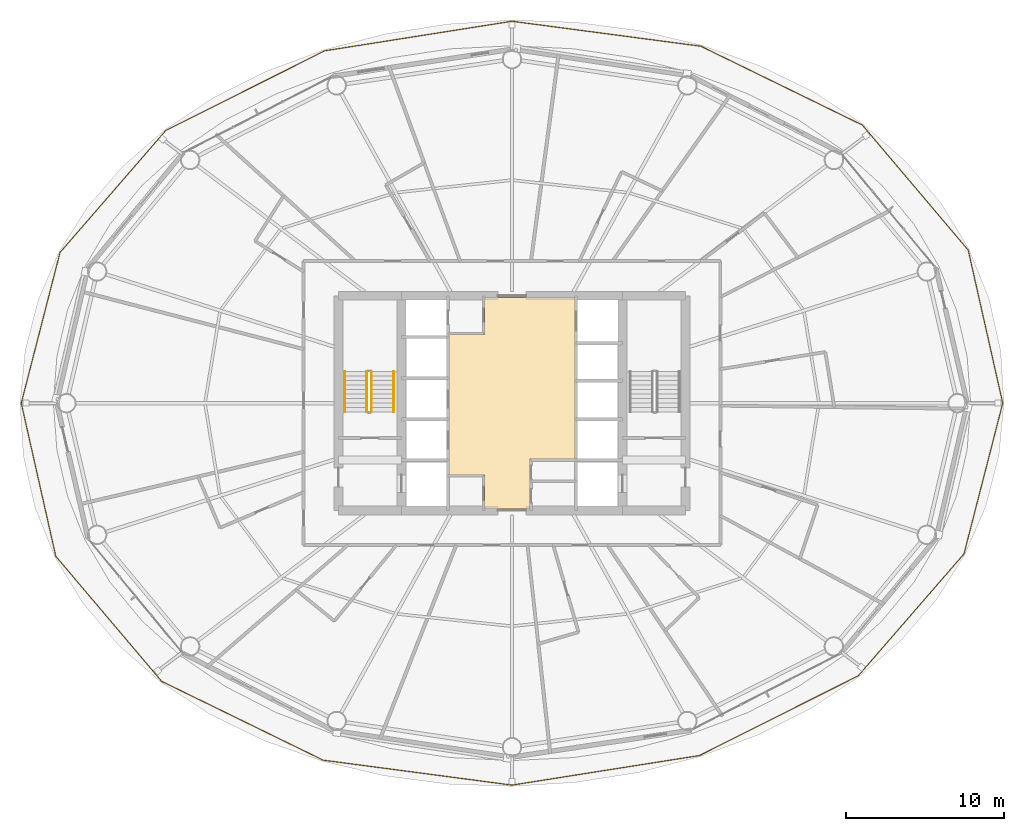
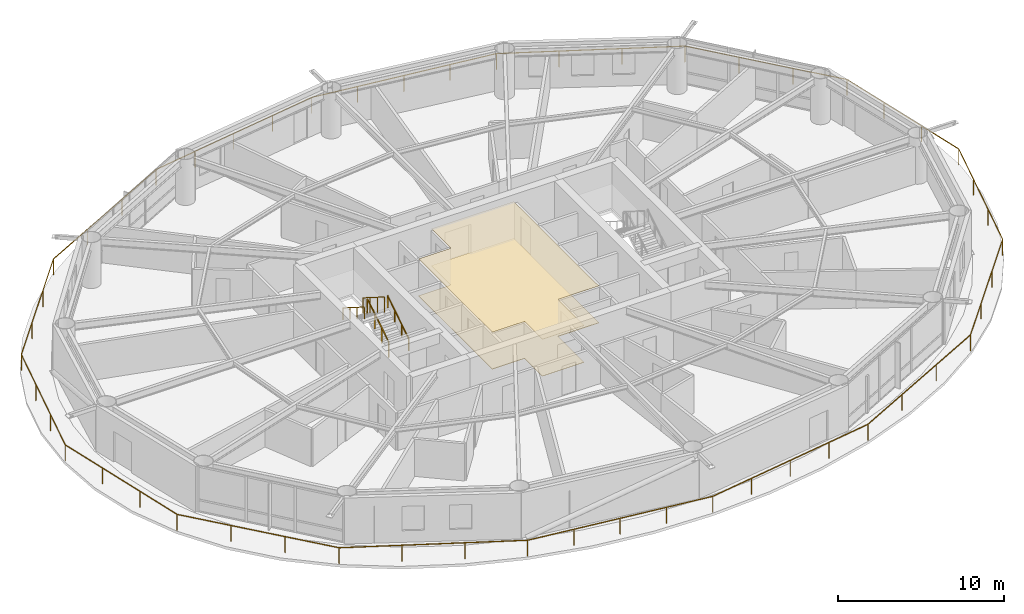
# One storey, part 23 of 24: 5 railings, 2 coverings.
"""IFC4 building model written with IfcOpenShell, lengths in metres."""

from ifc_helpers import new_model, si_unit, direction, frame, origin, origin_2d, place, context, subcontext, project, spatial, polyline, rectangle, outline, extrude, material, layer, layer_set, type_object, element, save


model = new_model("IFC4")

# Units and contexts
model_context = context("Model", 3, precision=1e-05, world=origin(), true_north=direction((0.0, 1.0)))
body_context = subcontext(model_context, "Body", "Model", "MODEL_VIEW")
ifc_project = project(units=[si_unit("LENGTHUNIT", "METRE"), si_unit("AREAUNIT", "SQUARE_METRE"), si_unit("VOLUMEUNIT", "CUBIC_METRE"), si_unit("PLANEANGLEUNIT", "RADIAN"), si_unit("MASSUNIT", "GRAM", prefix="KILO")], contexts=[model_context])

# Site, building, storey
site_placement = place(None, origin())
site = spatial("IfcSite", under=ifc_project, at=site_placement, CompositionType="ELEMENT")
building_placement = place(site_placement, origin())
building = spatial("IfcBuilding", under=site, at=building_placement, Name="Sarneth Arch Tower", CompositionType="ELEMENT")
storey_placement = place(building_placement, frame((0.0, 0.0, 105.60009765625)))
storey = spatial("IfcBuildingStorey", under=building, at=storey_placement, Name="L26", CompositionType="ELEMENT", Elevation=105.60009765625)

# Coverings
ifc_material_1 = material(Name="Perforated acoustic gypsum ceiling board")
ifc_layer_1 = layer(ifc_material_1, 0.02490234375)
ifc_layer_set_1 = layer_set([ifc_layer_1], Name="Perforated acoustic gypsum ceiling board")
covering_type_1 = type_object("IfcCoveringType", Name="COV-CEIL-GYP", PredefinedType="CEILING", material=ifc_layer_set_1)
covering_1_placement = place(storey_placement, frame((0.0, 0.0, 2.7099609375)))
element("IfcCovering", 1, at=covering_1_placement, inside=storey, type_object=covering_type_1, Name="L26 Lift lobby acoustic ceiling", PredefinedType="CEILING", context=body_context, shape_type="SweptSolid", body=[
    extrude(outline(polyline([(49.14990234375, 38.449951171875), (49.14990234375, 35.300048828125), (46.25, 35.300048828125), (46.25, 37.449951171875), (44.0, 37.449951171875), (44.0, 46.35009765625), (46.25, 46.35009765625), (46.25, 48.699951171875), (52.0, 48.699951171875), (52.0, 38.449951171875), (49.14990234375, 38.449951171875)])), origin(), (0.0, 0.0, 1.0), 0.030029296875),
])
ifc_material_2 = material(Name="Honed granite stone flooring", Category="masonry")
ifc_layer_2 = layer(ifc_material_2, 0.030029296875)
ifc_layer_set_2 = layer_set([ifc_layer_2], Name="Honed granite stone flooring")
covering_type_2 = type_object("IfcCoveringType", Name="COV-FLR-STONE", PredefinedType="FLOORING", material=ifc_layer_set_2)
covering_2_placement = place(storey_placement, origin())
element("IfcCovering", 2, at=covering_2_placement, inside=storey, type_object=covering_type_2, Name="L26 Lift lobby granite flooring", PredefinedType="FLOORING", context=body_context, shape_type="SweptSolid", body=[
    extrude(outline(polyline([(49.14990234375, 38.449951171875), (49.14990234375, 35.300048828125), (46.25, 35.300048828125), (46.25, 37.449951171875), (44.0, 37.449951171875), (44.0, 46.35009765625), (46.25, 46.35009765625), (46.25, 48.699951171875), (52.0, 48.699951171875), (52.0, 38.449951171875), (49.14990234375, 38.449951171875)])), origin(), (0.0, 0.0, 1.0), 0.02978515625),
])

# Railings
ifc_material_3 = material(Name="Laminated structural glass infill with Stainless Steel 316 top rail and posts", Category="steel")
railing_type_1 = type_object("IfcRailingType", Name="RAIL-BALC-1200", PredefinedType="BALUSTRADE", material=ifc_material_3)
railing_1_placement = place(storey_placement, frame((79.099365234375, 42.0, 0.0)))
element("IfcRailing", 3, at=railing_1_placement, inside=storey, type_object=railing_type_1, Name="L26 Helical balcony glass balustrade", PredefinedType="BALUSTRADE", context=body_context, shape_type="SweptSolid", body=[
    extrude(rectangle(XDim=0.048095703125, YDim=0.048095703125, at=origin_2d()), frame((0.0, 0.0, 1.17578125), z_axis=(-0.220040840304, 0.975490660436, 0.0), x_axis=(-0.975490660436, -0.220040840304, 0.0)), (0.0, 0.0, 1.0), 9.944580078125),
    extrude(rectangle(XDim=0.048095703125, YDim=0.048095703125, at=origin_2d()), frame((-2.188232421875, 9.700927734375, 1.17578125), z_axis=(-0.646078233344, 0.76327119453, 0.0), x_axis=(-0.76327119453, -0.646078233344, 0.0)), (0.0, 0.0, 1.0), 10.380859375),
    extrude(rectangle(XDim=0.048095703125, YDim=0.048095703125, at=origin_2d()), frame((-8.89501953125, 17.624267578125, 1.17578125), z_axis=(-0.898617624662, 0.438732680167, 0.0), x_axis=(-0.438732680167, -0.898617624662, 0.0)), (0.0, 0.0, 1.0), 11.39208984375),
    extrude(rectangle(XDim=0.048095703125, YDim=0.048095703125, at=origin_2d()), frame((-19.132080078125, 22.622314453125, 1.17578125), z_axis=(-0.991385456639, 0.130976625264, 0.0), x_axis=(-0.130976625264, -0.991385456639, 0.0)), (0.0, 0.0, 1.0), 12.0712890625),
    extrude(rectangle(XDim=0.048095703125, YDim=0.048095703125, at=origin_2d()), frame((-31.099365234375, 24.203369140625, 1.17578125), z_axis=(-0.987769715225, -0.155919818127, 0.0), x_axis=(0.155919818127, -0.987769715225, 0.0)), (0.0, 0.0, 1.0), 12.022216796875),
    extrude(rectangle(XDim=0.048095703125, YDim=0.048095703125, at=origin_2d()), frame((-42.974609375, 22.328857421875, 1.17578125), z_axis=(-0.893771677484, -0.448522227462, 0.0), x_axis=(0.448522227462, -0.893771677484, 0.0)), (0.0, 0.0, 1.0), 11.26416015625),
    extrude(rectangle(XDim=0.048095703125, YDim=0.048095703125, at=origin_2d()), frame((-53.042236328125, 17.276611328125, 1.17578125), z_axis=(-0.655165010573, -0.755485809874, 0.0), x_axis=(0.755485809874, -0.655165010573, 0.0)), (0.0, 0.0, 1.0), 10.22607421875),
    extrude(rectangle(XDim=0.048095703125, YDim=0.048095703125, at=origin_2d()), frame((-59.741943359375, 9.551025390625, 1.17578125), z_axis=(-0.249117998215, -0.968473140033, 0.0), x_axis=(0.968473140033, -0.249117998215, 0.0)), (0.0, 0.0, 1.0), 9.862060546875),
    extrude(rectangle(XDim=0.048095703125, YDim=0.048095703125, at=origin_2d()), frame((-62.19873046875, 0.0, 1.17578125), z_axis=(0.220040840304, -0.975490660436, 0.0), x_axis=(0.975490660436, 0.220040840304, 0.0)), (0.0, 0.0, 1.0), 9.944580078125),
    extrude(rectangle(XDim=0.048095703125, YDim=0.048095703125, at=origin_2d()), frame((-60.010498046875, -9.700927734375, 1.17578125), z_axis=(0.646078233344, -0.76327119453, 0.0), x_axis=(0.76327119453, 0.646078233344, 0.0)), (0.0, 0.0, 1.0), 10.380859375),
    extrude(rectangle(XDim=0.048095703125, YDim=0.048095703125, at=origin_2d()), frame((-53.3037109375, -17.624267578125, 1.17578125), z_axis=(0.898617624662, -0.438732680167, 0.0), x_axis=(0.438732680167, 0.898617624662, 0.0)), (0.0, 0.0, 1.0), 11.39208984375),
    extrude(rectangle(XDim=0.048095703125, YDim=0.048095703125, at=origin_2d()), frame((-43.066650390625, -22.622314453125, 1.17578125), z_axis=(0.991385456639, -0.130976625264, 0.0), x_axis=(0.130976625264, 0.991385456639, 0.0)), (0.0, 0.0, 1.0), 12.0712890625),
    extrude(rectangle(XDim=0.048095703125, YDim=0.048095703125, at=origin_2d()), frame((-31.099365234375, -24.203369140625, 1.17578125), z_axis=(0.987769715225, 0.155919818127, 0.0), x_axis=(-0.155919818127, 0.987769715225, 0.0)), (0.0, 0.0, 1.0), 12.022216796875),
    extrude(rectangle(XDim=0.048095703125, YDim=0.048095703125, at=origin_2d()), frame((-19.22412109375, -22.328857421875, 1.17578125), z_axis=(0.893771677484, 0.448522227462, 0.0), x_axis=(-0.448522227462, 0.893771677484, 0.0)), (0.0, 0.0, 1.0), 11.26416015625),
    extrude(rectangle(XDim=0.048095703125, YDim=0.048095703125, at=origin_2d()), frame((-9.156494140625, -17.276611328125, 1.17578125), z_axis=(0.655165010573, 0.755485809874, 0.0), x_axis=(-0.755485809874, 0.655165010573, 0.0)), (0.0, 0.0, 1.0), 10.22607421875),
    extrude(rectangle(XDim=0.048095703125, YDim=0.048095703125, at=origin_2d()), frame((-2.456787109375, -9.551025390625, 1.17578125), z_axis=(0.249117998215, 0.968473140033, 0.0), x_axis=(-0.968473140033, 0.249117998215, 0.0)), (0.0, 0.0, 1.0), 9.862060546875),
    extrude(rectangle(XDim=0.0419921875, YDim=0.0419921875, at=origin_2d()), origin(), (0.0, 0.0, 1.0), 1.15185546875),
    extrude(rectangle(XDim=0.0419921875, YDim=0.0419921875, at=origin_2d()), frame((-0.7294921875, 3.233642578125, 0.0)), (0.0, 0.0, 1.0), 1.15185546875),
    extrude(rectangle(XDim=0.0419921875, YDim=0.0419921875, at=origin_2d()), frame((-1.458740234375, 6.46728515625, 0.0)), (0.0, 0.0, 1.0), 1.15185546875),
    extrude(rectangle(XDim=0.0419921875, YDim=0.0419921875, at=origin_2d()), frame((-2.188232421875, 9.700927734375, 0.0)), (0.0, 0.0, 1.0), 1.15185546875),
    extrude(rectangle(XDim=0.0419921875, YDim=0.0419921875, at=origin_2d()), frame((-4.423828125, 12.342041015625, 0.0)), (0.0, 0.0, 1.0), 1.15185546875),
    extrude(rectangle(XDim=0.0419921875, YDim=0.0419921875, at=origin_2d()), frame((-6.659423828125, 14.983154296875, 0.0)), (0.0, 0.0, 1.0), 1.15185546875),
    extrude(rectangle(XDim=0.0419921875, YDim=0.0419921875, at=origin_2d()), frame((-8.89501953125, 17.624267578125, 0.0)), (0.0, 0.0, 1.0), 1.15185546875),
    extrude(rectangle(XDim=0.0419921875, YDim=0.0419921875, at=origin_2d()), frame((-12.307373046875, 19.290283203125, 0.0)), (0.0, 0.0, 1.0), 1.15185546875),
    extrude(rectangle(XDim=0.0419921875, YDim=0.0419921875, at=origin_2d()), frame((-15.7197265625, 20.956298828125, 0.0)), (0.0, 0.0, 1.0), 1.15185546875),
    extrude(rectangle(XDim=0.0419921875, YDim=0.0419921875, at=origin_2d()), frame((-19.132080078125, 22.622314453125, 0.0)), (0.0, 0.0, 1.0), 1.15185546875),
    extrude(rectangle(XDim=0.0419921875, YDim=0.0419921875, at=origin_2d()), frame((-22.1240234375, 23.017578125, 0.0)), (0.0, 0.0, 1.0), 1.15185546875),
    extrude(rectangle(XDim=0.0419921875, YDim=0.0419921875, at=origin_2d()), frame((-25.11572265625, 23.412841796875, 0.0)), (0.0, 0.0, 1.0), 1.15185546875),
    extrude(rectangle(XDim=0.0419921875, YDim=0.0419921875, at=origin_2d()), frame((-28.107421875, 23.80810546875, 0.0)), (0.0, 0.0, 1.0), 1.15185546875),
    extrude(rectangle(XDim=0.0419921875, YDim=0.0419921875, at=origin_2d()), frame((-31.099365234375, 24.203369140625, 0.0)), (0.0, 0.0, 1.0), 1.15185546875),
    extrude(rectangle(XDim=0.0419921875, YDim=0.0419921875, at=origin_2d()), frame((-34.068115234375, 23.73486328125, 0.0)), (0.0, 0.0, 1.0), 1.15185546875),
    extrude(rectangle(XDim=0.0419921875, YDim=0.0419921875, at=origin_2d()), frame((-37.037109375, 23.26611328125, 0.0)), (0.0, 0.0, 1.0), 1.15185546875),
    extrude(rectangle(XDim=0.0419921875, YDim=0.0419921875, at=origin_2d()), frame((-40.005859375, 22.79736328125, 0.0)), (0.0, 0.0, 1.0), 1.15185546875),
    extrude(rectangle(XDim=0.0419921875, YDim=0.0419921875, at=origin_2d()), frame((-42.974609375, 22.328857421875, 0.0)), (0.0, 0.0, 1.0), 1.15185546875),
    extrude(rectangle(XDim=0.0419921875, YDim=0.0419921875, at=origin_2d()), frame((-46.33056640625, 20.644775390625, 0.0)), (0.0, 0.0, 1.0), 1.15185546875),
    extrude(rectangle(XDim=0.0419921875, YDim=0.0419921875, at=origin_2d()), frame((-49.686279296875, 18.960693359375, 0.0)), (0.0, 0.0, 1.0), 1.15185546875),
    extrude(rectangle(XDim=0.0419921875, YDim=0.0419921875, at=origin_2d()), frame((-53.042236328125, 17.276611328125, 0.0)), (0.0, 0.0, 1.0), 1.15185546875),
    extrude(rectangle(XDim=0.0419921875, YDim=0.0419921875, at=origin_2d()), frame((-55.275390625, 14.701416015625, 0.0)), (0.0, 0.0, 1.0), 1.15185546875),
    extrude(rectangle(XDim=0.0419921875, YDim=0.0419921875, at=origin_2d()), frame((-57.5087890625, 12.126220703125, 0.0)), (0.0, 0.0, 1.0), 1.15185546875),
    extrude(rectangle(XDim=0.0419921875, YDim=0.0419921875, at=origin_2d()), frame((-59.741943359375, 9.551025390625, 0.0)), (0.0, 0.0, 1.0), 1.15185546875),
    extrude(rectangle(XDim=0.0419921875, YDim=0.0419921875, at=origin_2d()), frame((-60.560791015625, 6.367431640625, 0.0)), (0.0, 0.0, 1.0), 1.15185546875),
    extrude(rectangle(XDim=0.0419921875, YDim=0.0419921875, at=origin_2d()), frame((-61.3798828125, 3.18359375, 0.0)), (0.0, 0.0, 1.0), 1.15185546875),
    extrude(rectangle(XDim=0.0419921875, YDim=0.0419921875, at=origin_2d()), frame((-62.19873046875, 0.0, 0.0)), (0.0, 0.0, 1.0), 1.15185546875),
    extrude(rectangle(XDim=0.0419921875, YDim=0.0419921875, at=origin_2d()), frame((-61.46923828125, -3.233642578125, 0.0)), (0.0, 0.0, 1.0), 1.15185546875),
    extrude(rectangle(XDim=0.0419921875, YDim=0.0419921875, at=origin_2d()), frame((-60.739990234375, -6.46728515625, 0.0)), (0.0, 0.0, 1.0), 1.15185546875),
    extrude(rectangle(XDim=0.0419921875, YDim=0.0419921875, at=origin_2d()), frame((-60.010498046875, -9.700927734375, 0.0)), (0.0, 0.0, 1.0), 1.15185546875),
    extrude(rectangle(XDim=0.0419921875, YDim=0.0419921875, at=origin_2d()), frame((-57.77490234375, -12.342041015625, 0.0)), (0.0, 0.0, 1.0), 1.15185546875),
    extrude(rectangle(XDim=0.0419921875, YDim=0.0419921875, at=origin_2d()), frame((-55.539306640625, -14.983154296875, 0.0)), (0.0, 0.0, 1.0), 1.15185546875),
    extrude(rectangle(XDim=0.0419921875, YDim=0.0419921875, at=origin_2d()), frame((-53.3037109375, -17.624267578125, 0.0)), (0.0, 0.0, 1.0), 1.15185546875),
    extrude(rectangle(XDim=0.0419921875, YDim=0.0419921875, at=origin_2d()), frame((-49.891357421875, -19.290283203125, 0.0)), (0.0, 0.0, 1.0), 1.15185546875),
    extrude(rectangle(XDim=0.0419921875, YDim=0.0419921875, at=origin_2d()), frame((-46.47900390625, -20.956298828125, 0.0)), (0.0, 0.0, 1.0), 1.15185546875),
    extrude(rectangle(XDim=0.0419921875, YDim=0.0419921875, at=origin_2d()), frame((-43.066650390625, -22.622314453125, 0.0)), (0.0, 0.0, 1.0), 1.15185546875),
    extrude(rectangle(XDim=0.0419921875, YDim=0.0419921875, at=origin_2d()), frame((-40.07470703125, -23.017578125, 0.0)), (0.0, 0.0, 1.0), 1.15185546875),
    extrude(rectangle(XDim=0.0419921875, YDim=0.0419921875, at=origin_2d()), frame((-37.0830078125, -23.412841796875, 0.0)), (0.0, 0.0, 1.0), 1.15185546875),
    extrude(rectangle(XDim=0.0419921875, YDim=0.0419921875, at=origin_2d()), frame((-34.09130859375, -23.80810546875, 0.0)), (0.0, 0.0, 1.0), 1.15185546875),
    extrude(rectangle(XDim=0.0419921875, YDim=0.0419921875, at=origin_2d()), frame((-31.099365234375, -24.203369140625, 0.0)), (0.0, 0.0, 1.0), 1.15185546875),
    extrude(rectangle(XDim=0.0419921875, YDim=0.0419921875, at=origin_2d()), frame((-28.130615234375, -23.73486328125, 0.0)), (0.0, 0.0, 1.0), 1.15185546875),
    extrude(rectangle(XDim=0.0419921875, YDim=0.0419921875, at=origin_2d()), frame((-25.16162109375, -23.26611328125, 0.0)), (0.0, 0.0, 1.0), 1.15185546875),
    extrude(rectangle(XDim=0.0419921875, YDim=0.0419921875, at=origin_2d()), frame((-22.19287109375, -22.79736328125, 0.0)), (0.0, 0.0, 1.0), 1.15185546875),
    extrude(rectangle(XDim=0.0419921875, YDim=0.0419921875, at=origin_2d()), frame((-19.22412109375, -22.328857421875, 0.0)), (0.0, 0.0, 1.0), 1.15185546875),
    extrude(rectangle(XDim=0.0419921875, YDim=0.0419921875, at=origin_2d()), frame((-15.8681640625, -20.644775390625, 0.0)), (0.0, 0.0, 1.0), 1.15185546875),
    extrude(rectangle(XDim=0.0419921875, YDim=0.0419921875, at=origin_2d()), frame((-12.512451171875, -18.960693359375, 0.0)), (0.0, 0.0, 1.0), 1.15185546875),
    extrude(rectangle(XDim=0.0419921875, YDim=0.0419921875, at=origin_2d()), frame((-9.156494140625, -17.276611328125, 0.0)), (0.0, 0.0, 1.0), 1.15185546875),
    extrude(rectangle(XDim=0.0419921875, YDim=0.0419921875, at=origin_2d()), frame((-6.92333984375, -14.701416015625, 0.0)), (0.0, 0.0, 1.0), 1.15185546875),
    extrude(rectangle(XDim=0.0419921875, YDim=0.0419921875, at=origin_2d()), frame((-4.68994140625, -12.126220703125, 0.0)), (0.0, 0.0, 1.0), 1.15185546875),
    extrude(rectangle(XDim=0.0419921875, YDim=0.0419921875, at=origin_2d()), frame((-2.456787109375, -9.551025390625, 0.0)), (0.0, 0.0, 1.0), 1.15185546875),
    extrude(rectangle(XDim=0.0419921875, YDim=0.0419921875, at=origin_2d()), frame((-1.637939453125, -6.367431640625, 0.0)), (0.0, 0.0, 1.0), 1.15185546875),
    extrude(rectangle(XDim=0.0419921875, YDim=0.0419921875, at=origin_2d()), frame((-0.81884765625, -3.18359375, 0.0)), (0.0, 0.0, 1.0), 1.15185546875),
])
ifc_material_4 = material(Name="Brushed Stainless Steel 304 tubular handrail", Category="steel")
railing_type_2 = type_object("IfcRailingType", Name="RAIL-HANDRAIL-900", PredefinedType="HANDRAIL", material=ifc_material_4)
railing_2_placement = place(storey_placement, frame((40.5, 41.449951171875, 0.179931640625)))
element("IfcRailing", 4, at=railing_2_placement, inside=storey, type_object=railing_type_2, Name="L26 ST-1 stair handrail 1", PredefinedType="HANDRAIL", context=body_context, shape_type="SweptSolid", body=[
    extrude(rectangle(XDim=0.048095703125, YDim=0.048095703125, at=origin_2d()), frame((0.0, 0.0, 0.8759765625), z_axis=(0.0, 0.845502289212, 0.533971796014), x_axis=(-1.0, 0.0, 0.0)), (0.0, 0.0, 1.0), 3.03369140625),
    extrude(rectangle(XDim=0.0419921875, YDim=0.0419921875, at=origin_2d()), origin(), (0.0, 0.0, 1.0), 0.851806640625),
    extrude(rectangle(XDim=0.0419921875, YDim=0.0419921875, at=origin_2d()), frame((0.0, 0.85498046875, 0.5400390625)), (0.0, 0.0, 1.0), 0.851806640625),
    extrude(rectangle(XDim=0.0419921875, YDim=0.0419921875, at=origin_2d()), frame((0.0, 1.7099609375, 1.079833984375)), (0.0, 0.0, 1.0), 0.851806640625),
    extrude(rectangle(XDim=0.0419921875, YDim=0.0419921875, at=origin_2d()), frame((0.0, 2.56494140625, 1.619873046875)), (0.0, 0.0, 1.0), 0.851806640625),
])
railing_3_placement = place(storey_placement, frame((37.39990234375, 44.014892578125, 1.97998046875)))
element("IfcRailing", 5, at=railing_3_placement, inside=storey, type_object=railing_type_2, Name="L26 ST-1 stair handrail 2", PredefinedType="HANDRAIL", context=body_context, shape_type="SweptSolid", body=[
    extrude(rectangle(XDim=0.048095703125, YDim=0.048095703125, at=origin_2d()), frame((0.0, 0.0, 0.8759765625), z_axis=(0.0, -0.845502289212, 0.533971796014), x_axis=(1.0, 0.0, 0.0)), (0.0, 0.0, 1.0), 3.03369140625),
    extrude(rectangle(XDim=0.0419921875, YDim=0.0419921875, at=origin_2d()), origin(), (0.0, 0.0, 1.0), 0.851806640625),
    extrude(rectangle(XDim=0.0419921875, YDim=0.0419921875, at=origin_2d()), frame((0.0, -0.85498046875, 0.5400390625)), (0.0, 0.0, 1.0), 0.851806640625),
    extrude(rectangle(XDim=0.0419921875, YDim=0.0419921875, at=origin_2d()), frame((0.0, -1.7099609375, 1.079833984375)), (0.0, 0.0, 1.0), 0.851806640625),
    extrude(rectangle(XDim=0.0419921875, YDim=0.0419921875, at=origin_2d()), frame((0.0, -2.56494140625, 1.619873046875)), (0.0, 0.0, 1.0), 0.851806640625),
])
ifc_material_5 = material(Name="Painted Steel S275 stair well guard", Category="steel")
railing_type_3 = type_object("IfcRailingType", Name="RAIL-STAIR-GUARD", PredefinedType="GUARDRAIL", material=ifc_material_5)
railing_4_placement = place(storey_placement, frame((39.10009765625, 41.449951171875, 0.179931640625)))
element("IfcRailing", 6, at=railing_4_placement, inside=storey, type_object=railing_type_3, Name="L26 ST-1 stair guard 1", PredefinedType="GUARDRAIL", context=body_context, shape_type="SweptSolid", body=[
    extrude(rectangle(XDim=0.048095703125, YDim=0.048095703125, at=origin_2d()), frame((0.0, 0.0, 1.1259765625), z_axis=(0.0, 0.845502289212, 0.533971796014), x_axis=(-1.0, 0.0, 0.0)), (0.0, 0.0, 1.0), 3.03369140625),
    extrude(rectangle(XDim=0.0419921875, YDim=0.0419921875, at=origin_2d()), origin(), (0.0, 0.0, 1.0), 1.101806640625),
    extrude(rectangle(XDim=0.0419921875, YDim=0.0419921875, at=origin_2d()), frame((0.0, 0.85498046875, 0.5400390625)), (0.0, 0.0, 1.0), 1.101806640625),
    extrude(rectangle(XDim=0.0419921875, YDim=0.0419921875, at=origin_2d()), frame((0.0, 1.7099609375, 1.079833984375)), (0.0, 0.0, 1.0), 1.101806640625),
    extrude(rectangle(XDim=0.0419921875, YDim=0.0419921875, at=origin_2d()), frame((0.0, 2.56494140625, 1.619873046875)), (0.0, 0.0, 1.0), 1.101806640625),
])
railing_5_placement = place(storey_placement, frame((38.800048828125, 44.014892578125, 1.97998046875)))
element("IfcRailing", 7, at=railing_5_placement, inside=storey, type_object=railing_type_3, Name="L26 ST-1 stair guard 3", PredefinedType="GUARDRAIL", context=body_context, shape_type="SweptSolid", body=[
    extrude(rectangle(XDim=0.048095703125, YDim=0.048095703125, at=origin_2d()), frame((0.0, 0.0, 1.1259765625), z_axis=(0.0, -0.845502289212, 0.533971796014), x_axis=(1.0, 0.0, 0.0)), (0.0, 0.0, 1.0), 3.03369140625),
    extrude(rectangle(XDim=0.0419921875, YDim=0.0419921875, at=origin_2d()), origin(), (0.0, 0.0, 1.0), 1.101806640625),
    extrude(rectangle(XDim=0.0419921875, YDim=0.0419921875, at=origin_2d()), frame((0.0, -0.85498046875, 0.5400390625)), (0.0, 0.0, 1.0), 1.101806640625),
    extrude(rectangle(XDim=0.0419921875, YDim=0.0419921875, at=origin_2d()), frame((0.0, -1.7099609375, 1.079833984375)), (0.0, 0.0, 1.0), 1.101806640625),
    extrude(rectangle(XDim=0.0419921875, YDim=0.0419921875, at=origin_2d()), frame((0.0, -2.56494140625, 1.619873046875)), (0.0, 0.0, 1.0), 1.101806640625),
])

save(model, "model.ifc")
